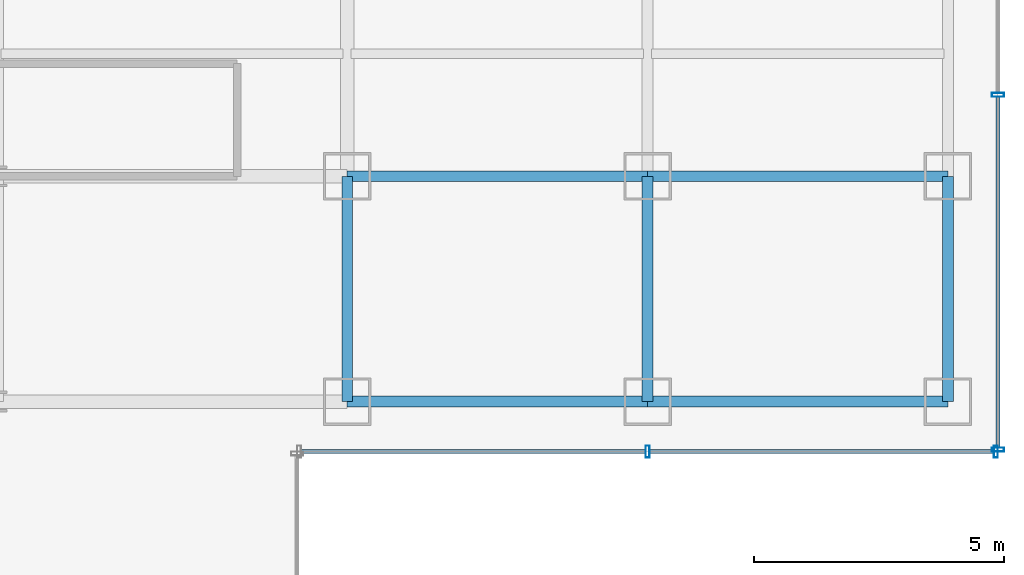
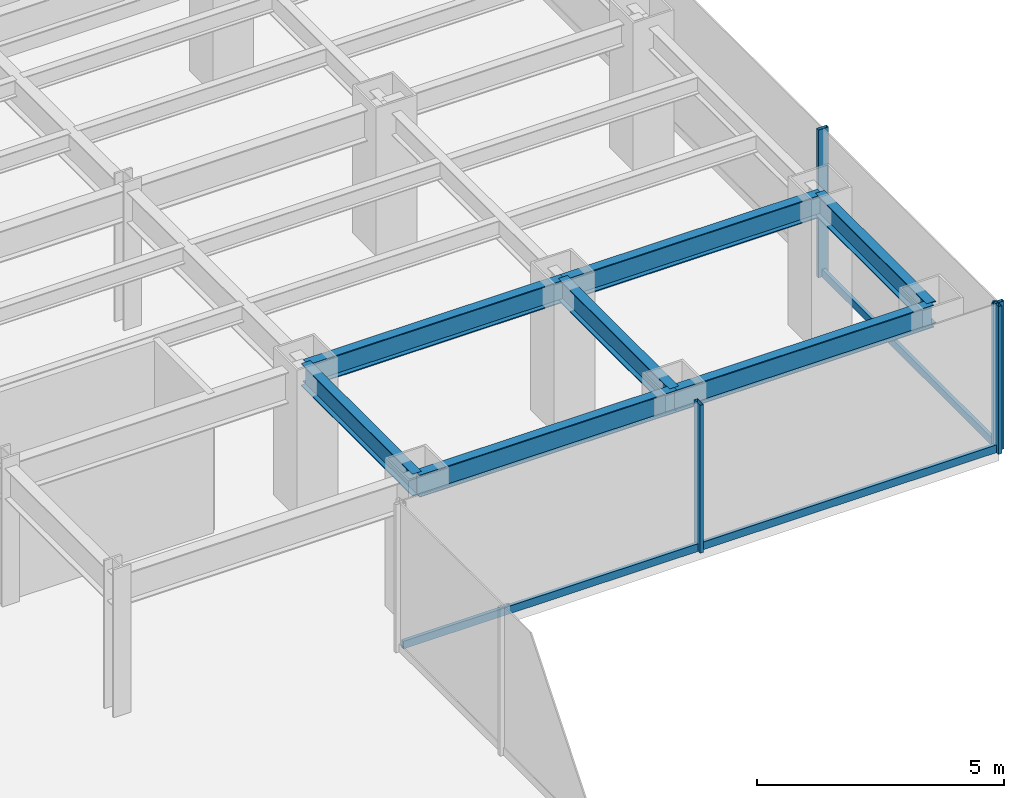
# One storey, part 7 of 23: 7 beams, 7 members, 2 elements without a shape of their own.
"""IFC4 building model written with IfcOpenShell, lengths in metres."""

from ifc_helpers import new_model, si_unit, derived_unit, direction, frame, origin, origin_2d, place, context, subcontext, project, spatial, hollow_rectangle, i_section, extrude, source, transform, mapped, material, material_profile, profile_set, type_object, element, aggregate, save


model = new_model("IFC4")

# Units and contexts
model_context = context("Model", 3, precision=1e-05, world=origin(), true_north=direction((0.0, 1.0)))
body_context = subcontext(model_context, "Body", "Model", "MODEL_VIEW")
ifc_project = project(units=[si_unit("LENGTHUNIT", "METRE"), si_unit("AREAUNIT", "SQUARE_METRE"), si_unit("VOLUMEUNIT", "CUBIC_METRE"), si_unit("PLANEANGLEUNIT", "RADIAN"), si_unit("MASSUNIT", "GRAM", prefix="KILO"), derived_unit("THERMALTRANSMITTANCEUNIT", [(si_unit("POWERUNIT", "WATT"), 1), (si_unit("LENGTHUNIT", "METRE"), -2), (si_unit("THERMODYNAMICTEMPERATUREUNIT", "KELVIN"), -1)])], contexts=[model_context])

# Site, building, storey
site_placement = place(None, origin())
site = spatial("IfcSite", under=ifc_project, at=site_placement, CompositionType="ELEMENT")
building_placement = place(site_placement, origin())
building = spatial("IfcBuilding", under=site, at=building_placement, Name="Skarnbrae Concourse Arena and Tower", CompositionType="ELEMENT")
storey_placement = place(building_placement, frame((0.0, 0.0, 47.10009765625)))
storey = spatial("IfcBuildingStorey", under=building, at=storey_placement, Name="L10", CompositionType="ELEMENT", Elevation=47.10009765625)

# Beams
ifc_material_1 = material(Name="Steel CSA G40.21 350W", Category="steel")
ifc_material_profile_1 = material_profile(ifc_material_1, i_section(OverallWidth=0.214111328125, OverallDepth=0.549072265625, WebThickness=0.0146484375, FlangeThickness=0.023681640625, at=origin_2d()), Name="W530X138")
ifc_profile_set_1 = profile_set([ifc_material_profile_1], Name="Steel CSA G40.21 350W")
beam_type = type_object("IfcBeamType", Name="BM-SPAN-W530X138", PredefinedType="SPANDREL", material=ifc_profile_set_1)
shared_shape_1 = source(origin(), body_context, "Body", "SweptSolid", [
    extrude(i_section(OverallWidth=0.214111328125, OverallDepth=0.549072265625, WebThickness=0.0146484375, FlangeThickness=0.023681640625, at=origin_2d()), origin(), (0.0, 0.0, 1.0), 6.0),
])
for number, where, z_axis, x_axis, name in (
    (1, (49.0, 9.5, 3.12548828125), (1.0, 0.0, 0.0), (0.0, 1.0, 0.0), "L10 Perimeter spandrel Y9.5-3"),
    (2, (55.0, 9.5, 3.12548828125), (1.0, 0.0, 0.0), (0.0, 1.0, 0.0), "L10 Perimeter spandrel Y9.5-4"),
    (3, (49.0, 14.0, 3.12548828125), (1.0, 0.0, 0.0), (0.0, 1.0, 0.0), "L10 Perimeter spandrel Y14.0-8"),
    (4, (55.0, 14.0, 3.12548828125), (1.0, 0.0, 0.0), (0.0, 1.0, 0.0), "L10 Perimeter spandrel Y14.0-9"),
):
    element("IfcBeam", number, at=place(storey_placement, frame(where, z_axis=z_axis, x_axis=x_axis)), inside=storey, type_object=beam_type, Name=name, PredefinedType="SPANDREL", context=body_context, shape_type="MappedRepresentation", body=[
        mapped(shared_shape_1, transform((0.0, 0.0, 0.0))),
    ])
shared_shape_2 = source(origin(), body_context, "Body", "SweptSolid", [
    extrude(i_section(OverallWidth=0.214111328125, OverallDepth=0.549072265625, WebThickness=0.0146484375, FlangeThickness=0.023681640625, at=origin_2d()), origin(), (0.0, 0.0, 1.0), 4.5),
])
for number, where, z_axis, x_axis, name in (
    (5, (49.0, 9.5, 3.12548828125), (0.0, 1.0, 0.0), (-1.0, 0.0, 0.0), "L10 Perimeter spandrel X49.0-1"),
    (6, (55.0, 9.5, 3.12548828125), (0.0, 1.0, 0.0), (-1.0, 0.0, 0.0), "L10 Perimeter spandrel X55.0-1"),
    (7, (61.0, 9.5, 3.12548828125), (0.0, 1.0, 0.0), (-1.0, 0.0, 0.0), "L10 Perimeter spandrel X61.0-1"),
):
    element("IfcBeam", number, at=place(storey_placement, frame(where, z_axis=z_axis, x_axis=x_axis)), inside=storey, type_object=beam_type, Name=name, PredefinedType="SPANDREL", context=body_context, shape_type="MappedRepresentation", body=[
        mapped(shared_shape_2, transform((0.0, 0.0, 0.0))),
    ])

# Curtain wall, members
ifc_material_2 = material(Name="Bronze anodised aluminium 6063-T6", Category="aluminium")
curtain_wall_type = type_object("IfcCurtainWallType", Name="CW-SYS-02-LOWZONE", PredefinedType="USERDEFINED", material=ifc_material_2)
curtain_wall_1_placement = place(storey_placement, origin())
curtain_wall_1 = element("IfcCurtainWall", 8, at=curtain_wall_1_placement, inside=storey, type_object=curtain_wall_type, Name="L10 Unitised curtain wall CW-L10-E03", ObjectType="UNITISED CURTAIN WALL", PredefinedType="USERDEFINED")
ifc_material_profile_2 = material_profile(ifc_material_2, hollow_rectangle(XDim=0.080078125, YDim=0.239990234375, WallThickness=0.0048828125, at=origin_2d()), Name="ALU-MULL-80X240")
ifc_profile_set_2 = profile_set([ifc_material_profile_2], Name="Bronze anodised aluminium 6063-T6")
member_type_1 = type_object("IfcMemberType", Name="CWM-CW-02", PredefinedType="MULLION", material=ifc_profile_set_2)
shared_shape_3 = source(origin(), body_context, "Body", "SweptSolid", [
    extrude(hollow_rectangle(XDim=0.080078125, YDim=0.239990234375, WallThickness=0.0048828125, at=origin_2d()), origin(), (0.0, 0.0, 1.0), 3.64990234375),
])
member_1_placement = place(storey_placement, frame((55.0, 8.5, 0.0), z_axis=(0.0, 0.0, 1.0), x_axis=(1.0, 0.0, 0.0)))
member_1 = element("IfcMember", 9, at=member_1_placement, type_object=member_type_1, Name="CW-L10-E03 Mullion 2", PredefinedType="MULLION", context=body_context, shape_type="MappedRepresentation", body=[
    mapped(shared_shape_3, transform((0.0, 0.0, 0.0))),
])
member_2_placement = place(storey_placement, frame((61.9599609375, 8.5, 0.0), z_axis=(0.0, 0.0, 1.0), x_axis=(1.0, 0.0, 0.0)))
member_2 = element("IfcMember", 10, at=member_2_placement, type_object=member_type_1, Name="CW-L10-E03 Mullion 3", PredefinedType="MULLION", context=body_context, shape_type="MappedRepresentation", body=[
    mapped(shared_shape_3, transform((0.0, 0.0, 0.0))),
])

curtain_wall_2_placement = place(storey_placement, origin())
curtain_wall_2 = element("IfcCurtainWall", 11, at=curtain_wall_2_placement, inside=storey, type_object=curtain_wall_type, Name="L10 Unitised curtain wall CW-L10-E04", ObjectType="UNITISED CURTAIN WALL", PredefinedType="USERDEFINED")
member_3_placement = place(storey_placement, frame((62.0, 8.5400390625, 0.0), z_axis=(0.0, 0.0, 1.0), x_axis=(0.0, 1.0, 0.0)))
member_3 = element("IfcMember", 12, at=member_3_placement, type_object=member_type_1, Name="CW-L10-E04 Mullion 1", PredefinedType="MULLION", context=body_context, shape_type="MappedRepresentation", body=[
    mapped(shared_shape_3, transform((0.0, 0.0, 0.0))),
])
member_4_placement = place(storey_placement, frame((62.0, 15.625, 0.0), z_axis=(0.0, 0.0, 1.0), x_axis=(0.0, 1.0, 0.0)))
member_4 = element("IfcMember", 13, at=member_4_placement, type_object=member_type_1, Name="CW-L10-E04 Mullion 2", PredefinedType="MULLION", context=body_context, shape_type="MappedRepresentation", body=[
    mapped(shared_shape_3, transform((0.0, 0.0, 0.0))),
])

# Member
ifc_material_profile_3 = material_profile(ifc_material_2, hollow_rectangle(XDim=0.080078125, YDim=0.18994140625, WallThickness=0.0048828125, at=origin_2d()), Name="ALU-TRAN-80X190")
ifc_profile_set_3 = profile_set([ifc_material_profile_3], Name="Bronze anodised aluminium 6063-T6")
member_type_2 = type_object("IfcMemberType", Name="CWT-CW-02", PredefinedType="USERDEFINED", material=ifc_profile_set_3)
shared_shape_4 = source(origin(), body_context, "Body", "SweptSolid", [
    extrude(hollow_rectangle(XDim=0.080078125, YDim=0.18994140625, WallThickness=0.0048828125, at=origin_2d()), origin(), (0.0, 0.0, 1.0), 6.8798828125),
])
member_5_placement = place(storey_placement, frame((48.080078125, 8.5, 0.094970703125), z_axis=(1.0, 0.0, 0.0), x_axis=(0.0, 1.0, 0.0)))
member_5 = element("IfcMember", 14, at=member_5_placement, type_object=member_type_2, Name="CW-L10-E03 Transom 1", ObjectType="TRANSOM", PredefinedType="USERDEFINED", context=body_context, shape_type="MappedRepresentation", body=[
    mapped(shared_shape_4, transform((0.0, 0.0, 0.0))),
])

member_6_placement = place(storey_placement, frame((55.0400390625, 8.5, 0.094970703125), z_axis=(1.0, 0.0, 0.0), x_axis=(0.0, 1.0, 0.0)))
member_6 = element("IfcMember", 15, at=member_6_placement, type_object=member_type_2, Name="CW-L10-E03 Transom 2", ObjectType="TRANSOM", PredefinedType="USERDEFINED", context=body_context, shape_type="MappedRepresentation", body=[
    mapped(shared_shape_4, transform((0.0, 0.0, 0.0))),
])

aggregate(curtain_wall_1, [member_1, member_2, member_5, member_6])

shared_shape_5 = source(origin(), body_context, "Body", "SweptSolid", [
    extrude(hollow_rectangle(XDim=0.080078125, YDim=0.18994140625, WallThickness=0.0048828125, at=origin_2d()), origin(), (0.0, 0.0, 1.0), 7.0048828125),
])
member_7_placement = place(storey_placement, frame((62.0, 8.580078125, 0.094970703125), z_axis=(0.0, 1.0, 0.0), x_axis=(-1.0, 0.0, 0.0)))
member_7 = element("IfcMember", 16, at=member_7_placement, type_object=member_type_2, Name="CW-L10-E04 Transom 1", ObjectType="TRANSOM", PredefinedType="USERDEFINED", context=body_context, shape_type="MappedRepresentation", body=[
    mapped(shared_shape_5, transform((0.0, 0.0, 0.0))),
])

aggregate(curtain_wall_2, [member_3, member_4, member_7])

save(model, "model.ifc")
